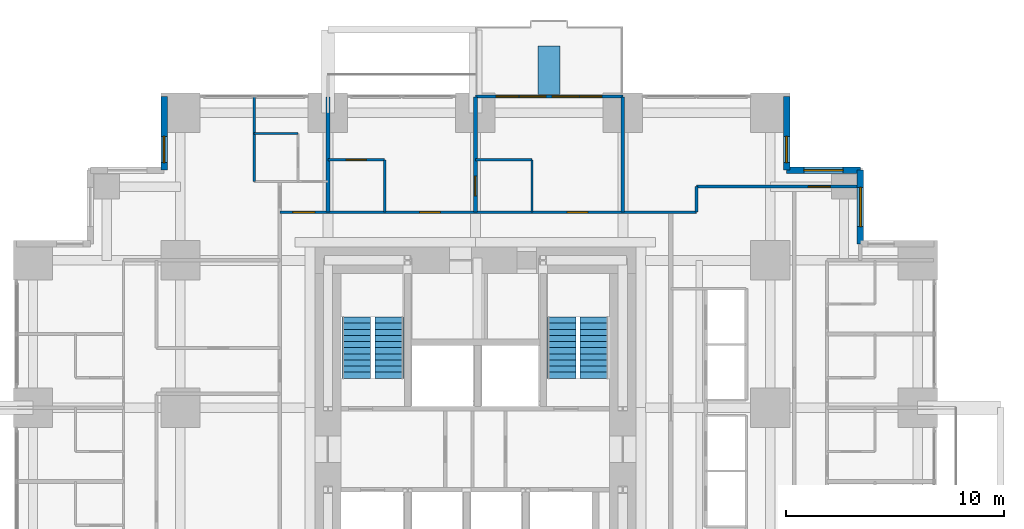
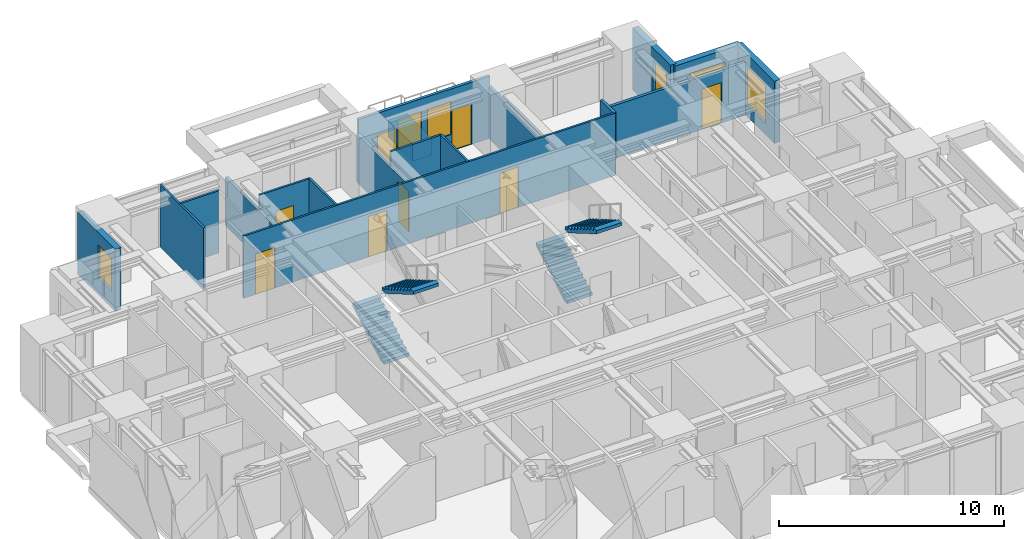
# One storey, part 11 of 12: 18 walls, 8 doors, 6 windows, 4 stair flights, 14 openings, 2 elements without a shape of their own.
"""IFC4 building model written with IfcOpenShell, lengths in metres."""

from ifc_helpers import new_model, si_unit, direction, frame, frame_2d, origin, place, context, subcontext, project, spatial, polyline, rectangle, outline, extrude, material, layer, layer_set, type_object, element, fill, aggregate, save


model = new_model("IFC4")

# Units and contexts
model_context = context("Model", 3, precision=1e-05, world=origin(), true_north=direction((0.0, 1.0)))
body_context = subcontext(model_context, "Body", "Model", "MODEL_VIEW")
ifc_project = project(units=[si_unit("LENGTHUNIT", "METRE"), si_unit("AREAUNIT", "SQUARE_METRE"), si_unit("VOLUMEUNIT", "CUBIC_METRE"), si_unit("PLANEANGLEUNIT", "RADIAN"), si_unit("MASSUNIT", "GRAM", prefix="KILO")], contexts=[model_context])

# Site, building, storey
site_placement = place(None, origin())
site = spatial("IfcSite", under=ifc_project, at=site_placement, CompositionType="ELEMENT")
building_placement = place(site_placement, origin())
building = spatial("IfcBuilding", under=site, at=building_placement, Name="Nyansa Garden Tower", CompositionType="ELEMENT")
storey_placement = place(building_placement, frame((0.0, 0.0, 98.10009765625)))
storey = spatial("IfcBuildingStorey", under=building, at=storey_placement, Name="L26", CompositionType="ELEMENT", Elevation=98.10009765625)

# Wall
ifc_material_1 = material(Name="Dense blockwork, plastered both sides, 55 dB", Category="masonry")
ifc_layer_1 = layer(ifc_material_1, 0.175048828125)
ifc_layer_set_1 = layer_set([ifc_layer_1], Name="Acoustic party wall PW175")
wall_type_1 = type_object("IfcWallType", Name="Acoustic party wall PW175", PredefinedType="PARTITIONING", material=ifc_layer_set_1)
wall_1_placement = place(storey_placement, frame((13.5, 29.199951171875, 0.0), z_axis=(0.0, 0.0, 1.0), x_axis=(0.0, 1.0, 0.0)))
element("IfcWall", 1, at=wall_1_placement, inside=storey, type_object=wall_type_1, Name="Party wall", PredefinedType="PARTITIONING", context=body_context, shape_type="SweptSolid", body=[
    extrude(rectangle(XDim=5.283935546875, YDim=0.175048828125, at=frame_2d((2.64208984375, 0.0))), origin(), (0.0, 0.0, 1.0), 2.60986328125),
])

# Wall, opening, door
wall_2_placement = place(storey_placement, frame((20.25, 29.199951171875, 0.0), z_axis=(0.0, 0.0, 1.0), x_axis=(0.0, 1.0, 0.0)))
wall_2 = element("IfcWall", 2, at=wall_2_placement, inside=storey, type_object=wall_type_1, Name="Party wall", PredefinedType="PARTITIONING", context=body_context, shape_type="SweptSolid", body=[
    extrude(rectangle(XDim=5.283935546875, YDim=0.175048828125, at=frame_2d((2.64208984375, 0.0))), origin(), (0.0, 0.0, 1.0), 2.60986328125),
])
opening_1_placement = place(wall_2_placement, frame((0.75, 0.0, 0.0)))
opening_1 = element("IfcOpeningElement", 3, at=opening_1_placement, cuts=wall_2, Name="Opening D02", PredefinedType="OPENING", context=body_context, shape_type="SweptSolid", body=[
    extrude(rectangle(XDim=0.89990234375, YDim=2.199951171875, at=frame_2d((0.449951171875, 1.10009765625))), frame((0.0, 0.097412109375, 0.0), z_axis=(0.0, -1.0, 0.0), x_axis=(1.0, 0.0, 0.0)), (0.0, 0.0, 1.0), 0.195068359375),
])
ifc_material_2 = material(Name="Timber flush door", Category="wood")
door_type_1 = type_object("IfcDoorType", Name="En-suite door D02 900x2200", OperationType="SINGLE_SWING_RIGHT", PredefinedType="DOOR", material=ifc_material_2)
door_1_placement = place(opening_1_placement, origin())
door_1 = element("IfcDoor", 4, at=door_1_placement, inside=storey, type_object=door_type_1, Name="Door L26-050", OperationType="SINGLE_SWING_RIGHT", OverallHeight=2.199951171875, OverallWidth=0.89990234375, PredefinedType="DOOR", context=body_context, shape_type="SweptSolid", body=[
    extrude(rectangle(XDim=0.89990234375, YDim=2.199951171875, at=frame_2d((0.449951171875, 1.10009765625))), frame((0.0, 0.02490234375, 0.0), z_axis=(0.0, -1.0, 0.0), x_axis=(1.0, 0.0, 0.0)), (0.0, 0.0, 1.0), 0.050048828125),
])
fill(opening_1, door_1)

# Wall, openings, doors, windows
ifc_material_3 = material(Name="Black aluminium framed glazed screen", Category="aluminium")
ifc_layer_2 = layer(ifc_material_3, 0.14990234375)
ifc_layer_set_2 = layer_set([ifc_layer_2], Name="Balcony screen wall BW150")
wall_type_2 = type_object("IfcWallType", Name="Balcony screen wall BW150", PredefinedType="SOLIDWALL", material=ifc_layer_set_2)
wall_3_placement = place(storey_placement, frame((20.25, 34.5, 0.0), z_axis=(0.0, 0.0, 1.0), x_axis=(1.0, 0.0, 0.0)))
wall_3 = element("IfcWall", 5, at=wall_3_placement, inside=storey, type_object=wall_type_2, Name="Glazed screen wall L26 N", PredefinedType="SOLIDWALL", context=body_context, shape_type="SweptSolid", body=[
    extrude(rectangle(XDim=6.75, YDim=0.14990234375, at=frame_2d((3.375, 0.0))), origin(), (0.0, 0.0, 1.0), 3.375),
])
opening_2_placement = place(wall_3_placement, frame((0.96240234375, 0.0, 0.0)))
opening_2 = element("IfcOpeningElement", 6, at=opening_2_placement, cuts=wall_3, Name="Opening D20", PredefinedType="OPENING", context=body_context, shape_type="SweptSolid", body=[
    extrude(rectangle(XDim=1.0, YDim=2.199951171875, at=frame_2d((0.5, 1.10009765625))), frame((0.0, 0.0849609375, 0.0), z_axis=(0.0, -1.0, 0.0), x_axis=(1.0, 0.0, 0.0)), (0.0, 0.0, 1.0), 0.169921875),
])
opening_3_placement = place(wall_3_placement, frame((2.02490234375, 0.0, 0.89990234375)))
opening_3 = element("IfcOpeningElement", 7, at=opening_3_placement, cuts=wall_3, Name="Opening W6", PredefinedType="OPENING", context=body_context, shape_type="SweptSolid", body=[
    extrude(rectangle(XDim=1.199951171875, YDim=1.800048828125, at=frame_2d((0.60009765625, 0.89990234375))), frame((0.0, 0.0849609375, 0.0), z_axis=(0.0, -1.0, 0.0), x_axis=(1.0, 0.0, 0.0)), (0.0, 0.0, 1.0), 0.169921875),
])
opening_4_placement = place(wall_3_placement, frame((4.78759765625, 0.0, 0.0)))
opening_4 = element("IfcOpeningElement", 8, at=opening_4_placement, cuts=wall_3, Name="Opening D20", PredefinedType="OPENING", context=body_context, shape_type="SweptSolid", body=[
    extrude(rectangle(XDim=1.0, YDim=2.199951171875, at=frame_2d((0.5, 1.10009765625))), frame((0.0, 0.0849609375, 0.0), z_axis=(0.0, -1.0, 0.0), x_axis=(1.0, 0.0, 0.0)), (0.0, 0.0, 1.0), 0.169921875),
])
opening_5_placement = place(wall_3_placement, frame((3.52490234375, 0.0, 0.89990234375)))
opening_5 = element("IfcOpeningElement", 9, at=opening_5_placement, cuts=wall_3, Name="Opening W6", PredefinedType="OPENING", context=body_context, shape_type="SweptSolid", body=[
    extrude(rectangle(XDim=1.199951171875, YDim=1.800048828125, at=frame_2d((0.60009765625, 0.89990234375))), frame((0.0, 0.0849609375, 0.0), z_axis=(0.0, -1.0, 0.0), x_axis=(1.0, 0.0, 0.0)), (0.0, 0.0, 1.0), 0.169921875),
])
ifc_material_4 = material(Name="Black aluminium framed glazed door", Category="aluminium")
door_type_2 = type_object("IfcDoorType", Name="Balcony door D20 1000x2200", OperationType="NOTDEFINED", PredefinedType="DOOR", material=ifc_material_4)
door_2_placement = place(opening_2_placement, origin())
door_2 = element("IfcDoor", 10, at=door_2_placement, inside=storey, type_object=door_type_2, Name="Balcony door L26", OperationType="SINGLE_SWING_LEFT", OverallHeight=2.199951171875, OverallWidth=1.0, PredefinedType="DOOR", context=body_context, shape_type="SweptSolid", body=[
    extrude(rectangle(XDim=1.0, YDim=2.199951171875, at=frame_2d((0.5, 1.10009765625))), frame((0.0, 0.02490234375, 0.0), z_axis=(0.0, -1.0, 0.0), x_axis=(1.0, 0.0, 0.0)), (0.0, 0.0, 1.0), 0.050048828125),
])
fill(opening_2, door_2)
door_3_placement = place(opening_4_placement, origin())
door_3 = element("IfcDoor", 11, at=door_3_placement, inside=storey, type_object=door_type_2, Name="Balcony door L26", OperationType="SINGLE_SWING_RIGHT", OverallHeight=2.199951171875, OverallWidth=1.0, PredefinedType="DOOR", context=body_context, shape_type="SweptSolid", body=[
    extrude(rectangle(XDim=1.0, YDim=2.199951171875, at=frame_2d((0.5, 1.10009765625))), frame((0.0, 0.02490234375, 0.0), z_axis=(0.0, -1.0, 0.0), x_axis=(1.0, 0.0, 0.0)), (0.0, 0.0, 1.0), 0.050048828125),
])
fill(opening_4, door_3)
ifc_material_5 = material(Name="Black aluminium frame, dark tinted double glazing", Category="aluminium")
window_type_1 = type_object("IfcWindowType", Name="Balcony window W6 1200x1800", PartitioningType="SINGLE_PANEL", PredefinedType="WINDOW", material=ifc_material_5)
window_1_placement = place(opening_3_placement, origin())
window_1 = element("IfcWindow", 12, at=window_1_placement, inside=storey, type_object=window_type_1, Name="Window L26", OverallHeight=1.800048828125, OverallWidth=1.199951171875, PartitioningType="SINGLE_PANEL", PredefinedType="WINDOW", context=body_context, shape_type="SweptSolid", body=[
    extrude(rectangle(XDim=1.199951171875, YDim=1.800048828125, at=frame_2d((0.60009765625, 0.89990234375))), frame((0.0, 0.030029296875, 0.0), z_axis=(0.0, -1.0, 0.0), x_axis=(1.0, 0.0, 0.0)), (0.0, 0.0, 1.0), 0.06005859375),
])
fill(opening_3, window_1)
window_2_placement = place(opening_5_placement, origin())
window_2 = element("IfcWindow", 13, at=window_2_placement, inside=storey, type_object=window_type_1, Name="Window L26", OverallHeight=1.800048828125, OverallWidth=1.199951171875, PartitioningType="SINGLE_PANEL", PredefinedType="WINDOW", context=body_context, shape_type="SweptSolid", body=[
    extrude(rectangle(XDim=1.199951171875, YDim=1.800048828125, at=frame_2d((0.60009765625, 0.89990234375))), frame((0.0, 0.030029296875, 0.0), z_axis=(0.0, -1.0, 0.0), x_axis=(1.0, 0.0, 0.0)), (0.0, 0.0, 1.0), 0.06005859375),
])
fill(opening_5, window_2)

# Walls
ifc_material_6 = material(Name="Blockwork, plastered both sides", Category="masonry")
ifc_layer_3 = layer(ifc_material_6, 0.14990234375)
ifc_layer_set_3 = layer_set([ifc_layer_3], Name="Partition PW150")
wall_type_3 = type_object("IfcWallType", Name="Partition PW150", PredefinedType="PARTITIONING", material=ifc_layer_set_3)
wall_4_placement = place(storey_placement, frame((27.0, 29.199951171875, 0.0), z_axis=(0.0, 0.0, 1.0), x_axis=(0.0, 1.0, 0.0)))
element("IfcWall", 14, at=wall_4_placement, inside=storey, type_object=wall_type_3, Name="Partition", PredefinedType="PARTITIONING", context=body_context, shape_type="SweptSolid", body=[
    extrude(rectangle(XDim=5.283935546875, YDim=0.14990234375, at=frame_2d((2.64208984375, 0.0))), origin(), (0.0, 0.0, 1.0), 2.805908203125),
])
wall_5_placement = place(storey_placement, frame((30.375, 29.199951171875, 0.0), z_axis=(0.0, 0.0, 1.0), x_axis=(0.0, 1.0, 0.0)))
element("IfcWall", 15, at=wall_5_placement, inside=storey, type_object=wall_type_3, Name="Partition", PredefinedType="PARTITIONING", context=body_context, shape_type="SweptSolid", body=[
    extrude(rectangle(XDim=1.175048828125, YDim=0.14990234375, at=frame_2d((0.58740234375, 0.0))), origin(), (0.0, 0.0, 1.0), 3.375),
])

# Wall, opening, door
wall_6_placement = place(storey_placement, frame((30.375, 30.375, 0.0), z_axis=(0.0, 0.0, 1.0), x_axis=(1.0, 0.0, 0.0)))
wall_6 = element("IfcWall", 16, at=wall_6_placement, inside=storey, type_object=wall_type_3, Name="Partition", PredefinedType="PARTITIONING", context=body_context, shape_type="SweptSolid", body=[
    extrude(rectangle(XDim=7.35009765625, YDim=0.14990234375, at=frame_2d((3.675048828125, 0.0))), origin(), (0.0, 0.0, 1.0), 2.876953125),
])
opening_6_placement = place(wall_6_placement, frame((5.125, 0.0, 0.0)))
opening_6 = element("IfcOpeningElement", 17, at=opening_6_placement, cuts=wall_6, Name="Opening D03", PredefinedType="OPENING", context=body_context, shape_type="SweptSolid", body=[
    extrude(rectangle(XDim=1.0, YDim=2.199951171875, at=frame_2d((0.5, 1.10009765625))), frame((0.0, 0.0849609375, 0.0), z_axis=(0.0, -1.0, 0.0), x_axis=(1.0, 0.0, 0.0)), (0.0, 0.0, 1.0), 0.169921875),
])
ifc_material_7 = material(Name="Timber flush door, 60 minute fire resisting", Category="wood")
door_type_3 = type_object("IfcDoorType", Name="Cluster entrance door D03 1000x2200", OperationType="SINGLE_SWING_LEFT", PredefinedType="DOOR", material=ifc_material_7)
door_4_placement = place(opening_6_placement, origin())
door_4 = element("IfcDoor", 18, at=door_4_placement, inside=storey, type_object=door_type_3, Name="Door L26-046", OperationType="SINGLE_SWING_LEFT", OverallHeight=2.199951171875, OverallWidth=1.0, PredefinedType="DOOR", context=body_context, shape_type="SweptSolid", body=[
    extrude(rectangle(XDim=1.0, YDim=2.199951171875, at=frame_2d((0.5, 1.10009765625))), frame((0.0, 0.02490234375, 0.0), z_axis=(0.0, -1.0, 0.0), x_axis=(1.0, 0.0, 0.0)), (0.0, 0.0, 1.0), 0.050048828125),
])
fill(opening_6, door_4)

# Wall, opening, window
ifc_material_8 = material(Name="Turquoise glazed tile on concrete blockwork", Category="masonry")
ifc_layer_4 = layer(ifc_material_8, 0.300048828125)
ifc_layer_set_4 = layer_set([ifc_layer_4], Name="Tiled corner wall TW300")
wall_type_4 = type_object("IfcWallType", Name="Tiled corner wall TW300", PredefinedType="SOLIDWALL", material=ifc_layer_set_4)
wall_7_placement = place(storey_placement, frame((37.875, 27.75, 0.0), z_axis=(0.0, 0.0, 1.0), x_axis=(0.0, 1.0, 0.0)))
wall_7 = element("IfcWall", 19, at=wall_7_placement, inside=storey, type_object=wall_type_4, Name="Tiled corner wall L26", PredefinedType="SOLIDWALL", context=body_context, shape_type="SweptSolid", body=[
    extrude(rectangle(XDim=3.375, YDim=0.300048828125, at=frame_2d((1.6875, 0.0))), origin(), (0.0, 0.0, 1.0), 3.375),
])
opening_7_placement = place(wall_7_placement, frame((0.78759765625, 0.0, 0.60009765625)))
opening_7 = element("IfcOpeningElement", 20, at=opening_7_placement, cuts=wall_7, Name="Opening W2", PredefinedType="OPENING", context=body_context, shape_type="SweptSolid", body=[
    extrude(rectangle(XDim=1.800048828125, YDim=2.10009765625, at=frame_2d((0.89990234375, 1.050048828125))), frame((0.0, 0.159912109375, 0.0), z_axis=(0.0, -1.0, 0.0), x_axis=(1.0, 0.0, 0.0)), (0.0, 0.0, 1.0), 0.320068359375),
])
ifc_material_9 = material(Name="Black aluminium frame, dark tinted double glazing", Category="aluminium")
window_type_2 = type_object("IfcWindowType", Name="Window W2 1800x2100", PartitioningType="SINGLE_PANEL", PredefinedType="WINDOW", material=ifc_material_9)
window_3_placement = place(opening_7_placement, origin())
window_3 = element("IfcWindow", 21, at=window_3_placement, inside=storey, type_object=window_type_2, Name="Corner window L26", OverallHeight=2.10009765625, OverallWidth=1.800048828125, PartitioningType="SINGLE_PANEL", PredefinedType="WINDOW", context=body_context, shape_type="SweptSolid", body=[
    extrude(rectangle(XDim=1.800048828125, YDim=2.10009765625, at=frame_2d((0.89990234375, 1.050048828125))), frame((0.0, 0.030029296875, 0.0), z_axis=(0.0, -1.0, 0.0), x_axis=(1.0, 0.0, 0.0)), (0.0, 0.0, 1.0), 0.06005859375),
])
fill(opening_7, window_3)

wall_8_placement = place(storey_placement, frame((37.875, 31.125, 0.0), z_axis=(0.0, 0.0, 1.0), x_axis=(-1.0, 0.0, 0.0)))
wall_8 = element("IfcWall", 22, at=wall_8_placement, inside=storey, type_object=wall_type_4, Name="Tiled corner wall L26", PredefinedType="SOLIDWALL", context=body_context, shape_type="SweptSolid", body=[
    extrude(rectangle(XDim=3.375, YDim=0.300048828125, at=frame_2d((1.6875, 0.0))), origin(), (0.0, 0.0, 1.0), 3.375),
])
opening_8_placement = place(wall_8_placement, frame((0.78759765625, 0.0, 0.60009765625)))
opening_8 = element("IfcOpeningElement", 23, at=opening_8_placement, cuts=wall_8, Name="Opening W2", PredefinedType="OPENING", context=body_context, shape_type="SweptSolid", body=[
    extrude(rectangle(XDim=1.800048828125, YDim=2.10009765625, at=frame_2d((0.89990234375, 1.050048828125))), frame((0.0, 0.159912109375, 0.0), z_axis=(0.0, -1.0, 0.0), x_axis=(1.0, 0.0, 0.0)), (0.0, 0.0, 1.0), 0.320068359375),
])
window_4_placement = place(opening_8_placement, origin())
window_4 = element("IfcWindow", 24, at=window_4_placement, inside=storey, type_object=window_type_2, Name="Corner window L26", OverallHeight=2.10009765625, OverallWidth=1.800048828125, PartitioningType="SINGLE_PANEL", PredefinedType="WINDOW", context=body_context, shape_type="SweptSolid", body=[
    extrude(rectangle(XDim=1.800048828125, YDim=2.10009765625, at=frame_2d((0.89990234375, 1.050048828125))), frame((0.0, 0.030029296875, 0.0), z_axis=(0.0, -1.0, 0.0), x_axis=(1.0, 0.0, 0.0)), (0.0, 0.0, 1.0), 0.06005859375),
])
fill(opening_8, window_4)

wall_9_placement = place(storey_placement, frame((34.5, 31.125, 0.0), z_axis=(0.0, 0.0, 1.0), x_axis=(0.0, 1.0, 0.0)))
wall_9 = element("IfcWall", 25, at=wall_9_placement, inside=storey, type_object=wall_type_4, Name="Tiled corner wall L26", PredefinedType="SOLIDWALL", context=body_context, shape_type="SweptSolid", body=[
    extrude(rectangle(XDim=3.375, YDim=0.300048828125, at=frame_2d((1.6875, 0.0))), origin(), (0.0, 0.0, 1.0), 3.375),
])
opening_9_placement = place(wall_9_placement, frame((0.342529296875, 0.0, 0.89990234375)))
opening_9 = element("IfcOpeningElement", 26, at=opening_9_placement, cuts=wall_9, Name="Opening W4", PredefinedType="OPENING", context=body_context, shape_type="SweptSolid", body=[
    extrude(rectangle(XDim=1.199951171875, YDim=1.800048828125, at=frame_2d((0.60009765625, 0.89990234375))), frame((0.0, 0.159912109375, 0.0), z_axis=(0.0, -1.0, 0.0), x_axis=(1.0, 0.0, 0.0)), (0.0, 0.0, 1.0), 0.320068359375),
])
ifc_material_10 = material(Name="Black aluminium frame, dark tinted double glazing", Category="aluminium")
window_type_3 = type_object("IfcWindowType", Name="Window W4 1200x1800", PartitioningType="SINGLE_PANEL", PredefinedType="WINDOW", material=ifc_material_10)
window_5_placement = place(opening_9_placement, origin())
window_5 = element("IfcWindow", 27, at=window_5_placement, inside=storey, type_object=window_type_3, Name="Corner window L26", OverallHeight=1.800048828125, OverallWidth=1.199951171875, PartitioningType="SINGLE_PANEL", PredefinedType="WINDOW", context=body_context, shape_type="SweptSolid", body=[
    extrude(rectangle(XDim=1.199951171875, YDim=1.800048828125, at=frame_2d((0.60009765625, 0.89990234375))), frame((0.0, 0.030029296875, 0.0), z_axis=(0.0, -1.0, 0.0), x_axis=(1.0, 0.0, 0.0)), (0.0, 0.0, 1.0), 0.06005859375),
])
fill(opening_9, window_5)

wall_10_placement = place(storey_placement, frame((6.0, 34.5, 0.0), z_axis=(0.0, 0.0, 1.0), x_axis=(0.0, -1.0, 0.0)))
wall_10 = element("IfcWall", 28, at=wall_10_placement, inside=storey, type_object=wall_type_4, Name="Tiled corner wall L26", PredefinedType="SOLIDWALL", context=body_context, shape_type="SweptSolid", body=[
    extrude(rectangle(XDim=3.375, YDim=0.300048828125, at=frame_2d((1.6875, 0.0))), origin(), (0.0, 0.0, 1.0), 3.375),
])
opening_10_placement = place(wall_10_placement, frame((1.83251953125, 0.0, 0.89990234375)))
opening_10 = element("IfcOpeningElement", 29, at=opening_10_placement, cuts=wall_10, Name="Opening W4", PredefinedType="OPENING", context=body_context, shape_type="SweptSolid", body=[
    extrude(rectangle(XDim=1.199951171875, YDim=1.800048828125, at=frame_2d((0.60009765625, 0.89990234375))), frame((0.0, 0.159912109375, 0.0), z_axis=(0.0, -1.0, 0.0), x_axis=(1.0, 0.0, 0.0)), (0.0, 0.0, 1.0), 0.320068359375),
])
window_6_placement = place(opening_10_placement, origin())
window_6 = element("IfcWindow", 30, at=window_6_placement, inside=storey, type_object=window_type_3, Name="Corner window L26", OverallHeight=1.800048828125, OverallWidth=1.199951171875, PartitioningType="SINGLE_PANEL", PredefinedType="WINDOW", context=body_context, shape_type="SweptSolid", body=[
    extrude(rectangle(XDim=1.199951171875, YDim=1.800048828125, at=frame_2d((0.60009765625, 0.89990234375))), frame((0.0, 0.030029296875, 0.0), z_axis=(0.0, -1.0, 0.0), x_axis=(1.0, 0.0, 0.0)), (0.0, 0.0, 1.0), 0.06005859375),
])
fill(opening_10, window_6)

# Walls
ifc_material_11 = material(Name="Concrete C40/50 planter, waterproofed", Category="concrete")
ifc_layer_5 = layer(ifc_material_11, 1.0)
ifc_layer_set_5 = layer_set([ifc_layer_5], Name="Tree planter TP1")
wall_type_5 = type_object("IfcWallType", Name="Tree planter TP1", PredefinedType="USERDEFINED", material=ifc_layer_set_5)
wall_11_placement = place(storey_placement, frame((23.625, 34.60009765625, 0.0), z_axis=(0.0, 0.0, 1.0), x_axis=(0.0, 1.0, 0.0)))
element("IfcWall", 31, at=wall_11_placement, inside=storey, type_object=wall_type_5, Name="Tree planter L26", ObjectType="TREE PLANTER", PredefinedType="USERDEFINED", context=body_context, shape_type="SweptSolid", body=[
    extrude(rectangle(XDim=2.199951171875, YDim=1.0, at=frame_2d((1.10009765625, 0.0))), origin(), (0.0, 0.0, 1.0), 0.89990234375),
])
ifc_material_12 = material(Name="Moisture resistant board on steel studs, tiled", Category="steel")
ifc_layer_6 = layer(ifc_material_12, 0.10009765625)
ifc_layer_set_6 = layer_set([ifc_layer_6], Name="Wet wall PW100")
wall_type_6 = type_object("IfcWallType", Name="Wet wall PW100", PredefinedType="PARTITIONING", material=ifc_layer_set_6)
wall_12_placement = place(storey_placement, frame((10.125, 30.60009765625, 0.0), z_axis=(0.0, 0.0, 1.0), x_axis=(0.0, 1.0, 0.0)))
element("IfcWall", 32, at=wall_12_placement, inside=storey, type_object=wall_type_6, Name="Wet wall", PredefinedType="PARTITIONING", context=body_context, shape_type="SweptSolid", body=[
    extrude(rectangle(XDim=3.8837890625, YDim=0.10009765625, at=frame_2d((1.94189453125, 0.0))), origin(), (0.0, 0.0, 1.0), 3.375),
])
wall_13_placement = place(storey_placement, frame((10.125, 32.800048828125, 0.0), z_axis=(0.0, 0.0, 1.0), x_axis=(1.0, 0.0, 0.0)))
element("IfcWall", 33, at=wall_13_placement, inside=storey, type_object=wall_type_6, Name="Wet wall", PredefinedType="PARTITIONING", context=body_context, shape_type="SweptSolid", body=[
    extrude(rectangle(XDim=2.0, YDim=0.10009765625, at=frame_2d((1.0, 0.0))), origin(), (0.0, 0.0, 1.0), 3.375),
])

# Wall, openings, doors
wall_14_placement = place(storey_placement, frame((11.300048828125, 29.199951171875, 0.0), z_axis=(0.0, 0.0, 1.0), x_axis=(1.0, 0.0, 0.0)))
wall_14 = element("IfcWall", 34, at=wall_14_placement, inside=storey, type_object=wall_type_6, Name="Wet wall", PredefinedType="PARTITIONING", context=body_context, shape_type="SweptSolid", body=[
    extrude(rectangle(XDim=19.074951171875, YDim=0.10009765625, at=frame_2d((9.53759765625, 0.0))), origin(), (0.0, 0.0, 1.0), 3.375),
])
opening_11_placement = place(wall_14_placement, frame((6.39990234375, 0.0, 0.0)))
opening_11 = element("IfcOpeningElement", 35, at=opening_11_placement, cuts=wall_14, Name="Opening D14", PredefinedType="OPENING", context=body_context, shape_type="SweptSolid", body=[
    extrude(rectangle(XDim=0.949951171875, YDim=2.199951171875, at=frame_2d((0.47509765625, 1.10009765625))), frame((0.0, 0.06005859375, 0.0), z_axis=(0.0, -1.0, 0.0), x_axis=(1.0, 0.0, 0.0)), (0.0, 0.0, 1.0), 0.1201171875),
])
opening_12_placement = place(wall_14_placement, frame((13.14990234375, 0.0, 0.0)))
opening_12 = element("IfcOpeningElement", 36, at=opening_12_placement, cuts=wall_14, Name="Opening D14", PredefinedType="OPENING", context=body_context, shape_type="SweptSolid", body=[
    extrude(rectangle(XDim=0.949951171875, YDim=2.199951171875, at=frame_2d((0.47509765625, 1.10009765625))), frame((0.0, 0.06005859375, 0.0), z_axis=(0.0, -1.0, 0.0), x_axis=(1.0, 0.0, 0.0)), (0.0, 0.0, 1.0), 0.1201171875),
])
opening_13_placement = place(wall_14_placement, frame((0.60009765625, 0.0, 0.0)))
opening_13 = element("IfcOpeningElement", 37, at=opening_13_placement, cuts=wall_14, Name="Opening D03", PredefinedType="OPENING", context=body_context, shape_type="SweptSolid", body=[
    extrude(rectangle(XDim=1.0, YDim=2.199951171875, at=frame_2d((0.5, 1.10009765625))), frame((0.0, 0.06005859375, 0.0), z_axis=(0.0, -1.0, 0.0), x_axis=(1.0, 0.0, 0.0)), (0.0, 0.0, 1.0), 0.1201171875),
])
door_5_placement = place(opening_13_placement, origin())
door_5 = element("IfcDoor", 38, at=door_5_placement, inside=storey, type_object=door_type_3, Name="Door L26-053", OperationType="SINGLE_SWING_LEFT", OverallHeight=2.199951171875, OverallWidth=1.0, PredefinedType="DOOR", context=body_context, shape_type="SweptSolid", body=[
    extrude(rectangle(XDim=1.0, YDim=2.199951171875, at=frame_2d((0.5, 1.10009765625))), frame((0.0, 0.02490234375, 0.0), z_axis=(0.0, -1.0, 0.0), x_axis=(1.0, 0.0, 0.0)), (0.0, 0.0, 1.0), 0.050048828125),
])
fill(opening_13, door_5)
ifc_material_13 = material(Name="Timber flush door, 60 minute fire resisting, self-closing", Category="wood")
door_type_4 = type_object("IfcDoorType", Name="Studio entrance door D14 950x2200", OperationType="SINGLE_SWING_LEFT", PredefinedType="DOOR", material=ifc_material_13)
door_6_placement = place(opening_11_placement, origin())
door_6 = element("IfcDoor", 39, at=door_6_placement, inside=storey, type_object=door_type_4, Name="Door L26-047", OperationType="SINGLE_SWING_LEFT", OverallHeight=2.199951171875, OverallWidth=0.949951171875, PredefinedType="DOOR", context=body_context, shape_type="SweptSolid", body=[
    extrude(rectangle(XDim=0.949951171875, YDim=2.199951171875, at=frame_2d((0.47509765625, 1.10009765625))), frame((0.0, 0.02490234375, 0.0), z_axis=(0.0, -1.0, 0.0), x_axis=(1.0, 0.0, 0.0)), (0.0, 0.0, 1.0), 0.050048828125),
])
fill(opening_11, door_6)
door_7_placement = place(opening_12_placement, origin())
door_7 = element("IfcDoor", 40, at=door_7_placement, inside=storey, type_object=door_type_4, Name="Door L26-049", OperationType="SINGLE_SWING_LEFT", OverallHeight=2.199951171875, OverallWidth=0.949951171875, PredefinedType="DOOR", context=body_context, shape_type="SweptSolid", body=[
    extrude(rectangle(XDim=0.949951171875, YDim=2.199951171875, at=frame_2d((0.47509765625, 1.10009765625))), frame((0.0, 0.02490234375, 0.0), z_axis=(0.0, -1.0, 0.0), x_axis=(1.0, 0.0, 0.0)), (0.0, 0.0, 1.0), 0.050048828125),
])
fill(opening_12, door_7)

# Wall, opening, door
wall_15_placement = place(storey_placement, frame((13.5, 31.60009765625, 0.0), z_axis=(0.0, 0.0, 1.0), x_axis=(1.0, 0.0, 0.0)))
wall_15 = element("IfcWall", 41, at=wall_15_placement, inside=storey, type_object=wall_type_6, Name="Wet wall", PredefinedType="PARTITIONING", context=body_context, shape_type="SweptSolid", body=[
    extrude(rectangle(XDim=2.60009765625, YDim=0.10009765625, at=frame_2d((1.300048828125, 0.0))), origin(), (0.0, 0.0, 1.0), 3.375),
])
opening_14_placement = place(wall_15_placement, frame((0.85009765625, 0.0, 0.0)))
opening_14 = element("IfcOpeningElement", 42, at=opening_14_placement, cuts=wall_15, Name="Opening D02", PredefinedType="OPENING", context=body_context, shape_type="SweptSolid", body=[
    extrude(rectangle(XDim=0.89990234375, YDim=2.199951171875, at=frame_2d((0.449951171875, 1.10009765625))), frame((0.0, 0.06005859375, 0.0), z_axis=(0.0, -1.0, 0.0), x_axis=(1.0, 0.0, 0.0)), (0.0, 0.0, 1.0), 0.1201171875),
])
door_8_placement = place(opening_14_placement, origin())
door_8 = element("IfcDoor", 43, at=door_8_placement, inside=storey, type_object=door_type_1, Name="Door L26-048", OperationType="SINGLE_SWING_RIGHT", OverallHeight=2.199951171875, OverallWidth=0.89990234375, PredefinedType="DOOR", context=body_context, shape_type="SweptSolid", body=[
    extrude(rectangle(XDim=0.89990234375, YDim=2.199951171875, at=frame_2d((0.449951171875, 1.10009765625))), frame((0.0, 0.02490234375, 0.0), z_axis=(0.0, -1.0, 0.0), x_axis=(1.0, 0.0, 0.0)), (0.0, 0.0, 1.0), 0.050048828125),
])
fill(opening_14, door_8)

# Walls
wall_16_placement = place(storey_placement, frame((16.10009765625, 29.199951171875, 0.0), z_axis=(0.0, 0.0, 1.0), x_axis=(0.0, 1.0, 0.0)))
element("IfcWall", 44, at=wall_16_placement, inside=storey, type_object=wall_type_6, Name="Wet wall", PredefinedType="PARTITIONING", context=body_context, shape_type="SweptSolid", body=[
    extrude(rectangle(XDim=2.400146484375, YDim=0.10009765625, at=frame_2d((1.2001953125, 0.0))), origin(), (0.0, 0.0, 1.0), 3.375),
])
wall_17_placement = place(storey_placement, frame((20.25, 31.60009765625, 0.0), z_axis=(0.0, 0.0, 1.0), x_axis=(1.0, 0.0, 0.0)))
element("IfcWall", 45, at=wall_17_placement, inside=storey, type_object=wall_type_6, Name="Wet wall", PredefinedType="PARTITIONING", context=body_context, shape_type="SweptSolid", body=[
    extrude(rectangle(XDim=2.60009765625, YDim=0.10009765625, at=frame_2d((1.300048828125, 0.0))), origin(), (0.0, 0.0, 1.0), 3.375),
])
wall_18_placement = place(storey_placement, frame((22.85009765625, 29.199951171875, 0.0), z_axis=(0.0, 0.0, 1.0), x_axis=(0.0, 1.0, 0.0)))
element("IfcWall", 46, at=wall_18_placement, inside=storey, type_object=wall_type_6, Name="Wet wall", PredefinedType="PARTITIONING", context=body_context, shape_type="SweptSolid", body=[
    extrude(rectangle(XDim=2.400146484375, YDim=0.10009765625, at=frame_2d((1.2001953125, 0.0))), origin(), (0.0, 0.0, 1.0), 3.375),
])

# Stair, stair flights
ifc_material_14 = material(Name="Precast concrete C40/50", Category="concrete")
stair_type_1 = type_object("IfcStairType", Name="Stair S1 164x280", PredefinedType="HALF_TURN_STAIR", material=ifc_material_14)
stair_1_placement = place(storey_placement, origin())
stair_1 = element("IfcStair", 47, at=stair_1_placement, inside=storey, type_object=stair_type_1, Name="Stair S1 L26", PredefinedType="HALF_TURN_STAIR")
ifc_material_15 = material(Name="Precast concrete C40/50", Category="concrete")
stair_flight_type_1 = type_object("IfcStairFlightType", Name="Stair flight S1 164x280x11", PredefinedType="STRAIGHT", material=ifc_material_15)
stair_flight_1_placement = place(storey_placement, frame((14.800048828125, 21.60009765625, 0.0), z_axis=(0.0, 0.0, 1.0), x_axis=(0.0, 1.0, 0.0)))
stair_flight_1 = element("IfcStairFlight", 48, at=stair_flight_1_placement, type_object=stair_flight_type_1, Name="S1 flight 1", NumberOfRisers=11, NumberOfTreads=10, PredefinedType="STRAIGHT", RiserHeight=0.163636364, TreadLength=0.28, context=body_context, shape_type="SweptSolid", body=[
    extrude(outline(polyline([(0.0, 0.0), (0.0, 0.16357421875), (0.280029296875, 0.16357421875), (0.280029296875, 0.327392578125), (0.56005859375, 0.327392578125), (0.56005859375, 0.490966796875), (0.840087890625, 0.490966796875), (0.840087890625, 0.654541015625), (1.1201171875, 0.654541015625), (1.1201171875, 0.818115234375), (1.39990234375, 0.818115234375), (1.39990234375, 0.98193359375), (1.679931640625, 0.98193359375), (1.679931640625, 1.1455078125), (1.9599609375, 1.1455078125), (1.9599609375, 1.30908203125), (2.239990234375, 1.30908203125), (2.239990234375, 1.47265625), (2.52001953125, 1.47265625), (2.52001953125, 1.636474609375), (2.800048828125, 1.636474609375), (2.800048828125, 1.800048828125), (2.800048828125, 1.462646484375), (0.297119140625, 0.0), (0.0, 0.0)])), frame((0.0, 0.64990234375, 0.0), z_axis=(0.0, -1.0, 0.0), x_axis=(1.0, 0.0, 0.0)), (0.0, 0.0, 1.0), 1.300048828125),
])
stair_flight_2_placement = place(storey_placement, frame((16.300048828125, 24.39990234375, 1.7998046875), z_axis=(0.0, 0.0, 1.0), x_axis=(0.0, -1.0, 0.0)))
stair_flight_2 = element("IfcStairFlight", 49, at=stair_flight_2_placement, type_object=stair_flight_type_1, Name="S1 flight 2", NumberOfRisers=11, NumberOfTreads=10, PredefinedType="STRAIGHT", RiserHeight=0.163636364, TreadLength=0.28, context=body_context, shape_type="SweptSolid", body=[
    extrude(outline(polyline([(0.0, 0.0), (0.0, 0.16357421875), (0.280029296875, 0.16357421875), (0.280029296875, 0.327392578125), (0.56005859375, 0.327392578125), (0.56005859375, 0.490966796875), (0.840087890625, 0.490966796875), (0.840087890625, 0.654541015625), (1.1201171875, 0.654541015625), (1.1201171875, 0.818115234375), (1.39990234375, 0.818115234375), (1.39990234375, 0.98193359375), (1.679931640625, 0.98193359375), (1.679931640625, 1.1455078125), (1.9599609375, 1.1455078125), (1.9599609375, 1.30908203125), (2.239990234375, 1.30908203125), (2.239990234375, 1.47265625), (2.52001953125, 1.47265625), (2.52001953125, 1.636474609375), (2.800048828125, 1.636474609375), (2.800048828125, 1.800048828125), (2.800048828125, 1.462646484375), (0.297119140625, 0.0), (0.0, 0.0)])), frame((0.0, 0.64990234375, 0.0), z_axis=(0.0, -1.0, 0.0), x_axis=(1.0, 0.0, 0.0)), (0.0, 0.0, 1.0), 1.300048828125),
])
aggregate(stair_1, [stair_flight_1, stair_flight_2])

ifc_material_16 = material(Name="Precast concrete C40/50", Category="concrete")
stair_type_2 = type_object("IfcStairType", Name="Stair S2 164x280", PredefinedType="HALF_TURN_STAIR", material=ifc_material_16)
stair_2_placement = place(storey_placement, origin())
stair_2 = element("IfcStair", 50, at=stair_2_placement, inside=storey, type_object=stair_type_2, Name="Stair S2 L26", PredefinedType="HALF_TURN_STAIR")
ifc_material_17 = material(Name="Precast concrete C40/50", Category="concrete")
stair_flight_type_2 = type_object("IfcStairFlightType", Name="Stair flight S2 164x280x11", PredefinedType="STRAIGHT", material=ifc_material_17)
stair_flight_3_placement = place(storey_placement, frame((24.199951171875, 21.60009765625, 0.0), z_axis=(0.0, 0.0, 1.0), x_axis=(0.0, 1.0, 0.0)))
stair_flight_3 = element("IfcStairFlight", 51, at=stair_flight_3_placement, type_object=stair_flight_type_2, Name="S2 flight 1", NumberOfRisers=11, NumberOfTreads=10, PredefinedType="STRAIGHT", RiserHeight=0.163636364, TreadLength=0.28, context=body_context, shape_type="SweptSolid", body=[
    extrude(outline(polyline([(0.0, 0.0), (0.0, 0.16357421875), (0.280029296875, 0.16357421875), (0.280029296875, 0.327392578125), (0.56005859375, 0.327392578125), (0.56005859375, 0.490966796875), (0.840087890625, 0.490966796875), (0.840087890625, 0.654541015625), (1.1201171875, 0.654541015625), (1.1201171875, 0.818115234375), (1.39990234375, 0.818115234375), (1.39990234375, 0.98193359375), (1.679931640625, 0.98193359375), (1.679931640625, 1.1455078125), (1.9599609375, 1.1455078125), (1.9599609375, 1.30908203125), (2.239990234375, 1.30908203125), (2.239990234375, 1.47265625), (2.52001953125, 1.47265625), (2.52001953125, 1.636474609375), (2.800048828125, 1.636474609375), (2.800048828125, 1.800048828125), (2.800048828125, 1.462646484375), (0.297119140625, 0.0), (0.0, 0.0)])), frame((0.0, 0.64990234375, 0.0), z_axis=(0.0, -1.0, 0.0), x_axis=(1.0, 0.0, 0.0)), (0.0, 0.0, 1.0), 1.300048828125),
])
stair_flight_4_placement = place(storey_placement, frame((25.699951171875, 24.39990234375, 1.7998046875), z_axis=(0.0, 0.0, 1.0), x_axis=(0.0, -1.0, 0.0)))
stair_flight_4 = element("IfcStairFlight", 52, at=stair_flight_4_placement, type_object=stair_flight_type_2, Name="S2 flight 2", NumberOfRisers=11, NumberOfTreads=10, PredefinedType="STRAIGHT", RiserHeight=0.163636364, TreadLength=0.28, context=body_context, shape_type="SweptSolid", body=[
    extrude(outline(polyline([(0.0, 0.0), (0.0, 0.16357421875), (0.280029296875, 0.16357421875), (0.280029296875, 0.327392578125), (0.56005859375, 0.327392578125), (0.56005859375, 0.490966796875), (0.840087890625, 0.490966796875), (0.840087890625, 0.654541015625), (1.1201171875, 0.654541015625), (1.1201171875, 0.818115234375), (1.39990234375, 0.818115234375), (1.39990234375, 0.98193359375), (1.679931640625, 0.98193359375), (1.679931640625, 1.1455078125), (1.9599609375, 1.1455078125), (1.9599609375, 1.30908203125), (2.239990234375, 1.30908203125), (2.239990234375, 1.47265625), (2.52001953125, 1.47265625), (2.52001953125, 1.636474609375), (2.800048828125, 1.636474609375), (2.800048828125, 1.800048828125), (2.800048828125, 1.462646484375), (0.297119140625, 0.0), (0.0, 0.0)])), frame((0.0, 0.64990234375, 0.0), z_axis=(0.0, -1.0, 0.0), x_axis=(1.0, 0.0, 0.0)), (0.0, 0.0, 1.0), 1.300048828125),
])
aggregate(stair_2, [stair_flight_3, stair_flight_4])

save(model, "model.ifc")
